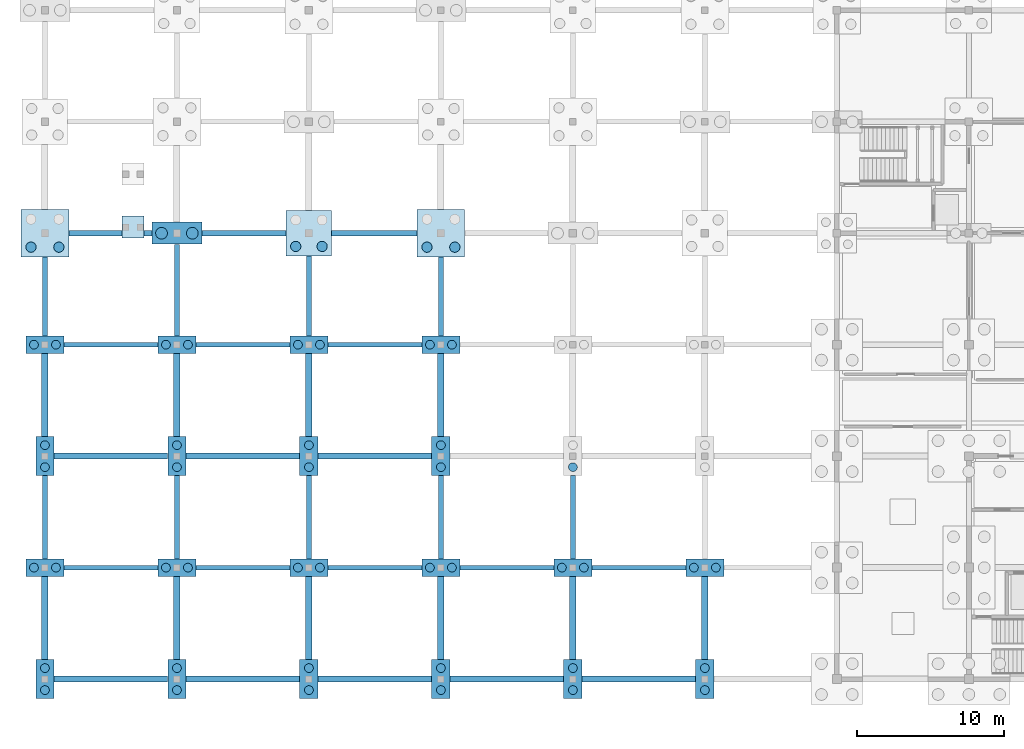
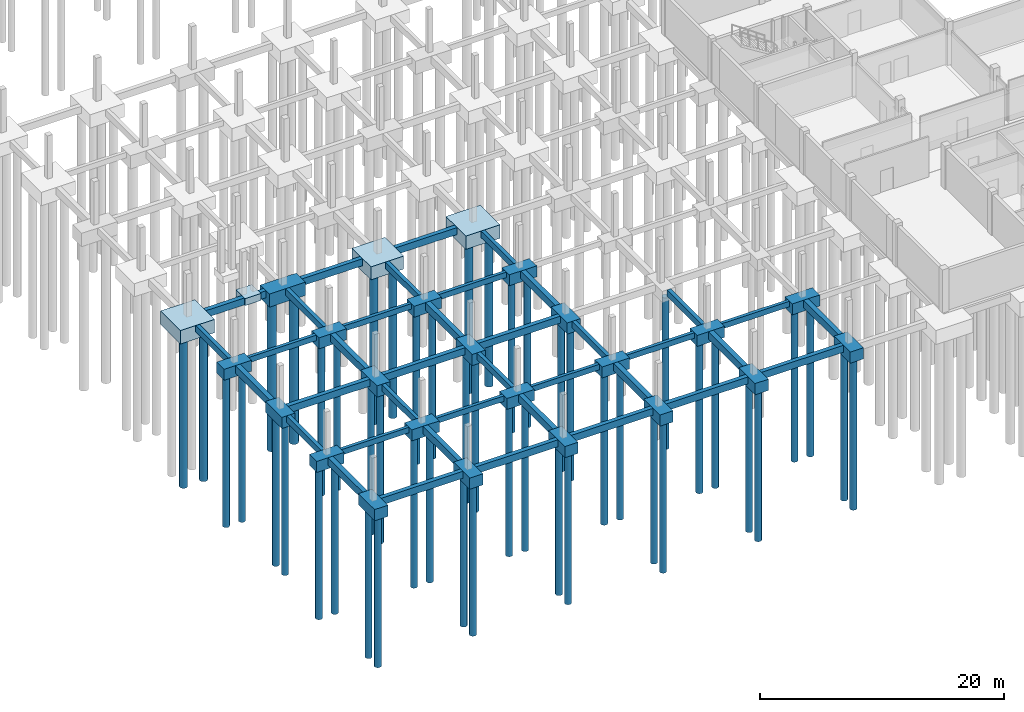
# One storey, part 1 of 28: 63 footings, 49 piles.
"""IFC4 building model written with IfcOpenShell, lengths in metres."""

from ifc_helpers import new_model, si_unit, direction, frame, origin, origin_2d, place, context, subcontext, project, spatial, rectangle, circle, extrude, material, layer, layer_set, material_profile, profile_set, type_object, element, save


model = new_model("IFC4")

# Units and contexts
model_context = context("Model", 3, precision=1e-05, world=origin(), true_north=direction((0.0, 1.0)))
body_context = subcontext(model_context, "Body", "Model", "MODEL_VIEW")
ifc_project = project(units=[si_unit("LENGTHUNIT", "METRE"), si_unit("AREAUNIT", "SQUARE_METRE"), si_unit("VOLUMEUNIT", "CUBIC_METRE"), si_unit("PLANEANGLEUNIT", "RADIAN"), si_unit("MASSUNIT", "GRAM", prefix="KILO")], contexts=[model_context])

# Site, building, storey
site_placement = place(None, origin())
site = spatial("IfcSite", under=ifc_project, at=site_placement, CompositionType="ELEMENT")
building_placement = place(site_placement, origin())
building = spatial("IfcBuilding", under=site, at=building_placement, Name="Caisbarro Railhouse Central Library", CompositionType="ELEMENT")
storey_placement = place(building_placement, frame((0.0, 0.0, -4.320068359375)))
storey = spatial("IfcBuildingStorey", under=building, at=storey_placement, Name="B01", CompositionType="ELEMENT", Elevation=-4.320068359375)

# Footings
ifc_material_1 = material(Name="Concrete C35", Category="concrete")
footing_type_1 = type_object("IfcFootingType", Name="FTG-FB01", PredefinedType="FOOTING_BEAM", material=ifc_material_1)
footing_1_placement = place(storey_placement, frame((0.0, 11.03759765625, -0.64990234375), z_axis=(0.0, 0.0, 1.0), x_axis=(0.0, 1.0, 0.0)))
element("IfcFooting", 1, at=footing_1_placement, inside=storey, type_object=footing_type_1, Name="FB01 ground tie beam 4", PredefinedType="FOOTING_BEAM", context=body_context, shape_type="SweptSolid", body=[
    extrude(rectangle(XDim=5.6708984375, YDim=0.35009765625, at=origin_2d()), origin(), (0.0, 0.0, 1.0), 0.64990234375),
])
footing_2_placement = place(storey_placement, frame((0.0, 26.08740234375, -0.64990234375), z_axis=(0.0, 0.0, 1.0), x_axis=(0.0, 1.0, 0.0)))
element("IfcFooting", 2, at=footing_2_placement, inside=storey, type_object=footing_type_1, Name="FB01 ground tie beam 8", PredefinedType="FOOTING_BEAM", context=body_context, shape_type="SweptSolid", body=[
    extrude(rectangle(XDim=5.37109375, YDim=0.35009765625, at=origin_2d()), origin(), (0.0, 0.0, 1.0), 0.64990234375),
])
footing_3_placement = place(storey_placement, frame((9.0, 11.03759765625, -0.64990234375), z_axis=(0.0, 0.0, 1.0), x_axis=(0.0, 1.0, 0.0)))
element("IfcFooting", 3, at=footing_3_placement, inside=storey, type_object=footing_type_1, Name="FB01 ground tie beam 28", PredefinedType="FOOTING_BEAM", context=body_context, shape_type="SweptSolid", body=[
    extrude(rectangle(XDim=5.6708984375, YDim=0.35009765625, at=origin_2d()), origin(), (0.0, 0.0, 1.0), 0.64990234375),
])
footing_4_placement = place(storey_placement, frame((9.0, 26.52490234375, -0.64990234375), z_axis=(0.0, 0.0, 1.0), x_axis=(0.0, 1.0, 0.0)))
element("IfcFooting", 4, at=footing_4_placement, inside=storey, type_object=footing_type_1, Name="FB01 ground tie beam 32", PredefinedType="FOOTING_BEAM", context=body_context, shape_type="SweptSolid", body=[
    extrude(rectangle(XDim=6.24609375, YDim=0.35009765625, at=origin_2d()), origin(), (0.0, 0.0, 1.0), 0.64990234375),
])
footing_5_placement = place(storey_placement, frame((18.0, 11.03759765625, -0.64990234375), z_axis=(0.0, 0.0, 1.0), x_axis=(0.0, 1.0, 0.0)))
element("IfcFooting", 5, at=footing_5_placement, inside=storey, type_object=footing_type_1, Name="FB01 ground tie beam 52", PredefinedType="FOOTING_BEAM", context=body_context, shape_type="SweptSolid", body=[
    extrude(rectangle(XDim=5.6708984375, YDim=0.35009765625, at=origin_2d()), origin(), (0.0, 0.0, 1.0), 0.64990234375),
])
footing_6_placement = place(storey_placement, frame((18.0, 26.125, -0.64990234375), z_axis=(0.0, 0.0, 1.0), x_axis=(0.0, 1.0, 0.0)))
element("IfcFooting", 6, at=footing_6_placement, inside=storey, type_object=footing_type_1, Name="FB01 ground tie beam 56", PredefinedType="FOOTING_BEAM", context=body_context, shape_type="SweptSolid", body=[
    extrude(rectangle(XDim=5.446044921875, YDim=0.35009765625, at=origin_2d()), origin(), (0.0, 0.0, 1.0), 0.64990234375),
])
footing_7_placement = place(storey_placement, frame((27.0, 11.03759765625, -0.64990234375), z_axis=(0.0, 0.0, 1.0), x_axis=(0.0, 1.0, 0.0)))
element("IfcFooting", 7, at=footing_7_placement, inside=storey, type_object=footing_type_1, Name="FB01 ground tie beam 76", PredefinedType="FOOTING_BEAM", context=body_context, shape_type="SweptSolid", body=[
    extrude(rectangle(XDim=5.6708984375, YDim=0.35009765625, at=origin_2d()), origin(), (0.0, 0.0, 1.0), 0.64990234375),
])
footing_8_placement = place(storey_placement, frame((27.0, 26.08740234375, -0.64990234375), z_axis=(0.0, 0.0, 1.0), x_axis=(0.0, 1.0, 0.0)))
element("IfcFooting", 8, at=footing_8_placement, inside=storey, type_object=footing_type_1, Name="FB01 ground tie beam 80", PredefinedType="FOOTING_BEAM", context=body_context, shape_type="SweptSolid", body=[
    extrude(rectangle(XDim=5.37109375, YDim=0.35009765625, at=origin_2d()), origin(), (0.0, 0.0, 1.0), 0.64990234375),
])
footing_9_placement = place(storey_placement, frame((36.0, 11.03759765625, -0.64990234375), z_axis=(0.0, 0.0, 1.0), x_axis=(0.0, 1.0, 0.0)))
element("IfcFooting", 9, at=footing_9_placement, inside=storey, type_object=footing_type_1, Name="FB01 ground tie beam 100", PredefinedType="FOOTING_BEAM", context=body_context, shape_type="SweptSolid", body=[
    extrude(rectangle(XDim=5.6708984375, YDim=0.35009765625, at=origin_2d()), origin(), (0.0, 0.0, 1.0), 0.64990234375),
])
footing_type_2 = type_object("IfcFootingType", Name="FTG-FB02", PredefinedType="FOOTING_BEAM", material=ifc_material_1)
for number, where, z_axis, x_axis, name in (
    (10, (4.5, 0.0, -0.69970703125), (0.0, 0.0, 1.0), (1.0, 0.0, 0.0), "FB02 ground tie beam 1"),
    (11, (4.5, 15.199951171875, -0.69970703125), (0.0, 0.0, 1.0), (1.0, 0.0, 0.0), "FB02 ground tie beam 5"),
):
    element("IfcFooting", number, at=place(storey_placement, frame(where, z_axis=z_axis, x_axis=x_axis)), inside=storey, type_object=footing_type_2, Name=name, PredefinedType="FOOTING_BEAM", context=body_context, shape_type="SweptSolid", body=[
        extrude(rectangle(XDim=7.74609375, YDim=0.39990234375, at=origin_2d()), origin(), (0.0, 0.0, 1.0), 0.699951171875),
    ])
footing_10_placement = place(storey_placement, frame((4.46240234375, 30.39990234375, -0.69970703125), z_axis=(0.0, 0.0, 1.0), x_axis=(1.0, 0.0, 0.0)))
element("IfcFooting", 12, at=footing_10_placement, inside=storey, type_object=footing_type_2, Name="FB02 ground tie beam 9", PredefinedType="FOOTING_BEAM", context=body_context, shape_type="SweptSolid", body=[
    extrude(rectangle(XDim=5.6708984375, YDim=0.39990234375, at=origin_2d()), origin(), (0.0, 0.0, 1.0), 0.699951171875),
])
for number, where, z_axis, x_axis, name in (
    (13, (13.5, 0.0, -0.69970703125), (0.0, 0.0, 1.0), (1.0, 0.0, 0.0), "FB02 ground tie beam 25"),
    (14, (13.5, 15.199951171875, -0.69970703125), (0.0, 0.0, 1.0), (1.0, 0.0, 0.0), "FB02 ground tie beam 29"),
):
    element("IfcFooting", number, at=place(storey_placement, frame(where, z_axis=z_axis, x_axis=x_axis)), inside=storey, type_object=footing_type_2, Name=name, PredefinedType="FOOTING_BEAM", context=body_context, shape_type="SweptSolid", body=[
        extrude(rectangle(XDim=7.74609375, YDim=0.39990234375, at=origin_2d()), origin(), (0.0, 0.0, 1.0), 0.699951171875),
    ])
footing_11_placement = place(storey_placement, frame((13.574951171875, 30.39990234375, -0.69970703125), z_axis=(0.0, 0.0, 1.0), x_axis=(1.0, 0.0, 0.0)))
element("IfcFooting", 15, at=footing_11_placement, inside=storey, type_object=footing_type_2, Name="FB02 ground tie beam 33", PredefinedType="FOOTING_BEAM", context=body_context, shape_type="SweptSolid", body=[
    extrude(rectangle(XDim=5.74609375, YDim=0.39990234375, at=origin_2d()), origin(), (0.0, 0.0, 1.0), 0.699951171875),
])
for number, where, z_axis, x_axis, name in (
    (16, (22.5, 0.0, -0.69970703125), (0.0, 0.0, 1.0), (1.0, 0.0, 0.0), "FB02 ground tie beam 49"),
    (17, (22.5, 15.199951171875, -0.69970703125), (0.0, 0.0, 1.0), (1.0, 0.0, 0.0), "FB02 ground tie beam 53"),
):
    element("IfcFooting", number, at=place(storey_placement, frame(where, z_axis=z_axis, x_axis=x_axis)), inside=storey, type_object=footing_type_2, Name=name, PredefinedType="FOOTING_BEAM", context=body_context, shape_type="SweptSolid", body=[
        extrude(rectangle(XDim=7.74609375, YDim=0.39990234375, at=origin_2d()), origin(), (0.0, 0.0, 1.0), 0.699951171875),
    ])
footing_12_placement = place(storey_placement, frame((22.46240234375, 30.39990234375, -0.69970703125), z_axis=(0.0, 0.0, 1.0), x_axis=(1.0, 0.0, 0.0)))
element("IfcFooting", 18, at=footing_12_placement, inside=storey, type_object=footing_type_2, Name="FB02 ground tie beam 57", PredefinedType="FOOTING_BEAM", context=body_context, shape_type="SweptSolid", body=[
    extrude(rectangle(XDim=5.821044921875, YDim=0.39990234375, at=origin_2d()), origin(), (0.0, 0.0, 1.0), 0.699951171875),
])
for number, where, z_axis, x_axis, name in (
    (19, (31.5, 0.0, -0.69970703125), (0.0, 0.0, 1.0), (1.0, 0.0, 0.0), "FB02 ground tie beam 73"),
    (20, (40.5, 0.0, -0.69970703125), (0.0, 0.0, 1.0), (1.0, 0.0, 0.0), "FB02 ground tie beam 97"),
):
    element("IfcFooting", number, at=place(storey_placement, frame(where, z_axis=z_axis, x_axis=x_axis)), inside=storey, type_object=footing_type_2, Name=name, PredefinedType="FOOTING_BEAM", context=body_context, shape_type="SweptSolid", body=[
        extrude(rectangle(XDim=7.74609375, YDim=0.39990234375, at=origin_2d()), origin(), (0.0, 0.0, 1.0), 0.699951171875),
    ])
footing_type_3 = type_object("IfcFootingType", Name="FTG-FB03", PredefinedType="FOOTING_BEAM", material=ifc_material_1)
for number, where, z_axis, x_axis, name in (
    (21, (0.0, 4.16259765625, -0.75), (0.0, 0.0, 1.0), (0.0, 1.0, 0.0), "FB03 ground tie beam 2"),
    (22, (0.0, 19.362548828125, -0.75), (0.0, 0.0, 1.0), (0.0, 1.0, 0.0), "FB03 ground tie beam 6"),
    (23, (9.0, 4.16259765625, -0.75), (0.0, 0.0, 1.0), (0.0, 1.0, 0.0), "FB03 ground tie beam 26"),
    (24, (9.0, 19.362548828125, -0.75), (0.0, 0.0, 1.0), (0.0, 1.0, 0.0), "FB03 ground tie beam 30"),
    (25, (18.0, 4.16259765625, -0.75), (0.0, 0.0, 1.0), (0.0, 1.0, 0.0), "FB03 ground tie beam 50"),
    (26, (18.0, 19.362548828125, -0.75), (0.0, 0.0, 1.0), (0.0, 1.0, 0.0), "FB03 ground tie beam 54"),
    (27, (27.0, 4.16259765625, -0.75), (0.0, 0.0, 1.0), (0.0, 1.0, 0.0), "FB03 ground tie beam 74"),
    (28, (27.0, 19.362548828125, -0.75), (0.0, 0.0, 1.0), (0.0, 1.0, 0.0), "FB03 ground tie beam 78"),
    (29, (36.0, 4.16259765625, -0.75), (0.0, 0.0, 1.0), (0.0, 1.0, 0.0), "FB03 ground tie beam 98"),
    (30, (45.0, 4.16259765625, -0.75), (0.0, 0.0, 1.0), (0.0, 1.0, 0.0), "FB03 ground tie beam 118"),
):
    element("IfcFooting", number, at=place(storey_placement, frame(where, z_axis=z_axis, x_axis=x_axis)), inside=storey, type_object=footing_type_3, Name=name, PredefinedType="FOOTING_BEAM", context=body_context, shape_type="SweptSolid", body=[
        extrude(rectangle(XDim=5.6708984375, YDim=0.449951171875, at=origin_2d()), origin(), (0.0, 0.0, 1.0), 0.75),
    ])
footing_type_4 = type_object("IfcFootingType", Name="FTG-FB04", PredefinedType="FOOTING_BEAM", material=ifc_material_1)
for number, where, z_axis, x_axis, name in (
    (31, (4.5, 7.60009765625, -0.5498046875), (0.0, 0.0, 1.0), (1.0, 0.0, 0.0), "FB04 ground tie beam 3"),
    (32, (4.5, 22.800048828125, -0.5498046875), (0.0, 0.0, 1.0), (1.0, 0.0, 0.0), "FB04 ground tie beam 7"),
    (33, (13.5, 7.60009765625, -0.5498046875), (0.0, 0.0, 1.0), (1.0, 0.0, 0.0), "FB04 ground tie beam 27"),
    (34, (13.5, 22.800048828125, -0.5498046875), (0.0, 0.0, 1.0), (1.0, 0.0, 0.0), "FB04 ground tie beam 31"),
    (35, (22.5, 7.60009765625, -0.5498046875), (0.0, 0.0, 1.0), (1.0, 0.0, 0.0), "FB04 ground tie beam 51"),
    (36, (22.5, 22.800048828125, -0.5498046875), (0.0, 0.0, 1.0), (1.0, 0.0, 0.0), "FB04 ground tie beam 55"),
    (37, (31.5, 7.60009765625, -0.5498046875), (0.0, 0.0, 1.0), (1.0, 0.0, 0.0), "FB04 ground tie beam 75"),
    (38, (40.5, 7.60009765625, -0.5498046875), (0.0, 0.0, 1.0), (1.0, 0.0, 0.0), "FB04 ground tie beam 99"),
):
    element("IfcFooting", number, at=place(storey_placement, frame(where, z_axis=z_axis, x_axis=x_axis)), inside=storey, type_object=footing_type_4, Name=name, PredefinedType="FOOTING_BEAM", context=body_context, shape_type="SweptSolid", body=[
        extrude(rectangle(XDim=6.39599609375, YDim=0.300048828125, at=origin_2d()), origin(), (0.0, 0.0, 1.0), 0.550048828125),
    ])
ifc_material_2 = material(Name="Concrete C40", Category="concrete")
ifc_layer_1 = layer(ifc_material_2, 1.10009765625, Name="Concrete C40")
ifc_layer_set_1 = layer_set([ifc_layer_1], Name="Concrete C40")
footing_type_5 = type_object("IfcFootingType", Name="FTG-PC02", PredefinedType="PILE_CAP", material=ifc_layer_set_1)
for number, where, z_axis, x_axis, name in (
    (39, (0.0, 7.60009765625, -1.10009765625), (0.0, 0.0, 1.0), (1.0, 0.0, 0.0), "PC02 pile cap (2)"),
    (40, (0.0, 22.800048828125, -1.10009765625), (0.0, 0.0, 1.0), (1.0, 0.0, 0.0), "PC02 pile cap (4)"),
    (41, (9.0, 7.60009765625, -1.10009765625), (0.0, 0.0, 1.0), (1.0, 0.0, 0.0), "PC02 pile cap (16)"),
    (42, (9.0, 22.800048828125, -1.10009765625), (0.0, 0.0, 1.0), (1.0, 0.0, 0.0), "PC02 pile cap (18)"),
    (43, (18.0, 7.60009765625, -1.10009765625), (0.0, 0.0, 1.0), (1.0, 0.0, 0.0), "PC02 pile cap (30)"),
    (44, (18.0, 22.800048828125, -1.10009765625), (0.0, 0.0, 1.0), (1.0, 0.0, 0.0), "PC02 pile cap (32)"),
    (45, (27.0, 7.60009765625, -1.10009765625), (0.0, 0.0, 1.0), (1.0, 0.0, 0.0), "PC02 pile cap (44)"),
    (46, (27.0, 22.800048828125, -1.10009765625), (0.0, 0.0, 1.0), (1.0, 0.0, 0.0), "PC02 pile cap (46)"),
    (47, (36.0, 7.60009765625, -1.10009765625), (0.0, 0.0, 1.0), (1.0, 0.0, 0.0), "PC02 pile cap (58)"),
    (48, (45.0, 7.60009765625, -1.10009765625), (0.0, 0.0, 1.0), (1.0, 0.0, 0.0), "PC02 pile cap (72)"),
):
    element("IfcFooting", number, at=place(storey_placement, frame(where, z_axis=z_axis, x_axis=x_axis)), inside=storey, type_object=footing_type_5, Name=name, PredefinedType="PILE_CAP", context=body_context, shape_type="SweptSolid", body=[
        extrude(rectangle(XDim=2.60009765625, YDim=1.199951171875, at=origin_2d()), origin(), (0.0, 0.0, 1.0), 1.10009765625),
    ])
ifc_layer_2 = layer(ifc_material_2, 1.1201171875, Name="Concrete C40")
ifc_layer_set_2 = layer_set([ifc_layer_2], Name="Concrete C40")
footing_type_6 = type_object("IfcFootingType", Name="FTG-PC03", PredefinedType="PILE_CAP", material=ifc_layer_set_2)
for number, where, z_axis, x_axis, name in (
    (49, (0.0, 0.0, -1.119873046875), (0.0, 0.0, 1.0), (1.0, 0.0, 0.0), "PC03 pile cap (1)"),
    (50, (0.0, 15.199951171875, -1.119873046875), (0.0, 0.0, 1.0), (1.0, 0.0, 0.0), "PC03 pile cap (3)"),
    (51, (9.0, 0.0, -1.119873046875), (0.0, 0.0, 1.0), (1.0, 0.0, 0.0), "PC03 pile cap (15)"),
    (52, (9.0, 15.199951171875, -1.119873046875), (0.0, 0.0, 1.0), (1.0, 0.0, 0.0), "PC03 pile cap (17)"),
    (53, (18.0, 0.0, -1.119873046875), (0.0, 0.0, 1.0), (1.0, 0.0, 0.0), "PC03 pile cap (29)"),
    (54, (18.0, 15.199951171875, -1.119873046875), (0.0, 0.0, 1.0), (1.0, 0.0, 0.0), "PC03 pile cap (31)"),
    (55, (27.0, 0.0, -1.119873046875), (0.0, 0.0, 1.0), (1.0, 0.0, 0.0), "PC03 pile cap (43)"),
    (56, (27.0, 15.199951171875, -1.119873046875), (0.0, 0.0, 1.0), (1.0, 0.0, 0.0), "PC03 pile cap (45)"),
    (57, (36.0, 0.0, -1.119873046875), (0.0, 0.0, 1.0), (1.0, 0.0, 0.0), "PC03 pile cap (57)"),
    (58, (45.0, 0.0, -1.119873046875), (0.0, 0.0, 1.0), (1.0, 0.0, 0.0), "PC03 pile cap (71)"),
):
    element("IfcFooting", number, at=place(storey_placement, frame(where, z_axis=z_axis, x_axis=x_axis)), inside=storey, type_object=footing_type_6, Name=name, PredefinedType="PILE_CAP", context=body_context, shape_type="SweptSolid", body=[
        extrude(rectangle(XDim=1.25, YDim=2.64990234375, at=origin_2d()), origin(), (0.0, 0.0, 1.0), 1.1201171875),
    ])
ifc_layer_3 = layer(ifc_material_2, 1.300048828125, Name="Concrete C40")
ifc_layer_set_3 = layer_set([ifc_layer_3], Name="Concrete C40")
footing_type_7 = type_object("IfcFootingType", Name="FTG-PC06", PredefinedType="PILE_CAP", material=ifc_layer_set_3)
footing_13_placement = place(storey_placement, frame((18.0, 30.39990234375, -1.2998046875), z_axis=(0.0, 0.0, 1.0), x_axis=(1.0, 0.0, 0.0)))
element("IfcFooting", 59, at=footing_13_placement, inside=storey, type_object=footing_type_7, Name="PC06 pile cap (33)", PredefinedType="PILE_CAP", context=body_context, shape_type="SweptSolid", body=[
    extrude(rectangle(XDim=3.10009765625, YDim=3.10009765625, at=origin_2d()), origin(), (0.0, 0.0, 1.0), 1.300048828125),
])
ifc_layer_4 = layer(ifc_material_2, 1.320068359375, Name="Concrete C40")
ifc_layer_set_4 = layer_set([ifc_layer_4], Name="Concrete C40")
footing_type_8 = type_object("IfcFootingType", Name="FTG-PC07", PredefinedType="PILE_CAP", material=ifc_layer_set_4)
footing_14_placement = place(storey_placement, frame((9.0, 30.39990234375, -1.31982421875), z_axis=(0.0, 0.0, 1.0), x_axis=(1.0, 0.0, 0.0)))
element("IfcFooting", 60, at=footing_14_placement, inside=storey, type_object=footing_type_8, Name="PC07 pile cap (19)", PredefinedType="PILE_CAP", context=body_context, shape_type="SweptSolid", body=[
    extrude(rectangle(XDim=3.39990234375, YDim=1.5, at=origin_2d()), origin(), (0.0, 0.0, 1.0), 1.320068359375),
])
ifc_layer_5 = layer(ifc_material_2, 1.340087890625, Name="Concrete C40")
ifc_layer_set_5 = layer_set([ifc_layer_5], Name="Concrete C40")
footing_type_9 = type_object("IfcFootingType", Name="FTG-PC14", PredefinedType="PILE_CAP", material=ifc_layer_set_5)
for number, where, z_axis, x_axis, name in (
    (61, (0.0, 30.39990234375, -1.33984375), (0.0, 0.0, 1.0), (1.0, 0.0, 0.0), "PC14 pile cap (5)"),
    (62, (27.0, 30.39990234375, -1.33984375), (0.0, 0.0, 1.0), (1.0, 0.0, 0.0), "PC14 pile cap (47)"),
):
    element("IfcFooting", number, at=place(storey_placement, frame(where, z_axis=z_axis, x_axis=x_axis)), inside=storey, type_object=footing_type_9, Name=name, PredefinedType="PILE_CAP", context=body_context, shape_type="SweptSolid", body=[
        extrude(rectangle(XDim=3.25, YDim=3.25, at=origin_2d()), origin(), (0.0, 0.0, 1.0), 1.340087890625),
    ])
ifc_layer_6 = layer(ifc_material_2, 0.699951171875, Name="Concrete C40")
ifc_layer_set_6 = layer_set([ifc_layer_6], Name="Concrete C40")
footing_type_10 = type_object("IfcFootingType", Name="FTG-PF01", PredefinedType="PAD_FOOTING", material=ifc_layer_set_6)
footing_15_placement = place(storey_placement, frame((6.0, 30.820068359375, -0.69970703125), z_axis=(0.0, 0.0, 1.0), x_axis=(1.0, 0.0, 0.0)))
element("IfcFooting", 63, at=footing_15_placement, inside=storey, type_object=footing_type_10, Name="PF01 Stair Support Pad Footing K6 S", PredefinedType="PAD_FOOTING", context=body_context, shape_type="SweptSolid", body=[
    extrude(rectangle(XDim=1.5, YDim=1.5, at=origin_2d()), origin(), (0.0, 0.0, 1.0), 0.699951171875),
])

# Piles
ifc_material_profile_1 = material_profile(ifc_material_1, circle(Radius=0.300048828125, at=origin_2d()), Name="PILE-CFA-600")
ifc_profile_set_1 = profile_set([ifc_material_profile_1], Name="Concrete C35")
pile_type_1 = type_object("IfcPileType", Name="PILE-CFA600", PredefinedType="BORED", material=ifc_profile_set_1)
for number, where, z_axis, x_axis, name in (
    (64, (0.0, -0.75, -1.02001953125), (0.0, 0.0, -1.0), (1.0, 0.0, 0.0), "PL60 CFA bored pile 1.1"),
    (65, (0.0, 0.75, -1.02001953125), (0.0, 0.0, -1.0), (1.0, 0.0, 0.0), "PL60 CFA bored pile 1.2"),
):
    element("IfcPile", number, at=place(storey_placement, frame(where, z_axis=z_axis, x_axis=x_axis)), inside=storey, type_object=pile_type_1, Name=name, PredefinedType="BORED", context=body_context, shape_type="SweptSolid", body=[
        extrude(circle(Radius=0.300048828125, at=origin_2d()), origin(), (0.0, 0.0, 1.0), 15.159912109375),
    ])
for number, where, z_axis, x_axis, name in (
    (66, (-0.75, 7.60009765625, -1.0), (0.0, 0.0, -1.0), (1.0, 0.0, 0.0), "PL60 CFA bored pile 2.1"),
    (67, (0.75, 7.60009765625, -1.0), (0.0, 0.0, -1.0), (1.0, 0.0, 0.0), "PL60 CFA bored pile 2.2"),
):
    element("IfcPile", number, at=place(storey_placement, frame(where, z_axis=z_axis, x_axis=x_axis)), inside=storey, type_object=pile_type_1, Name=name, PredefinedType="BORED", context=body_context, shape_type="SweptSolid", body=[
        extrude(circle(Radius=0.300048828125, at=origin_2d()), origin(), (0.0, 0.0, 1.0), 15.179931640625),
    ])
for number, where, z_axis, x_axis, name in (
    (68, (0.0, 14.449951171875, -1.02001953125), (0.0, 0.0, -1.0), (1.0, 0.0, 0.0), "PL60 CFA bored pile 3.1"),
    (69, (0.0, 15.949951171875, -1.02001953125), (0.0, 0.0, -1.0), (1.0, 0.0, 0.0), "PL60 CFA bored pile 3.2"),
):
    element("IfcPile", number, at=place(storey_placement, frame(where, z_axis=z_axis, x_axis=x_axis)), inside=storey, type_object=pile_type_1, Name=name, PredefinedType="BORED", context=body_context, shape_type="SweptSolid", body=[
        extrude(circle(Radius=0.300048828125, at=origin_2d()), origin(), (0.0, 0.0, 1.0), 15.159912109375),
    ])
for number, where, z_axis, x_axis, name in (
    (70, (-0.75, 22.800048828125, -1.0), (0.0, 0.0, -1.0), (1.0, 0.0, 0.0), "PL60 CFA bored pile 4.1"),
    (71, (0.75, 22.800048828125, -1.0), (0.0, 0.0, -1.0), (1.0, 0.0, 0.0), "PL60 CFA bored pile 4.2"),
):
    element("IfcPile", number, at=place(storey_placement, frame(where, z_axis=z_axis, x_axis=x_axis)), inside=storey, type_object=pile_type_1, Name=name, PredefinedType="BORED", context=body_context, shape_type="SweptSolid", body=[
        extrude(circle(Radius=0.300048828125, at=origin_2d()), origin(), (0.0, 0.0, 1.0), 15.179931640625),
    ])
for number, where, z_axis, x_axis, name in (
    (72, (9.0, -0.75, -1.02001953125), (0.0, 0.0, -1.0), (1.0, 0.0, 0.0), "PL60 CFA bored pile 15.1"),
    (73, (9.0, 0.75, -1.02001953125), (0.0, 0.0, -1.0), (1.0, 0.0, 0.0), "PL60 CFA bored pile 15.2"),
):
    element("IfcPile", number, at=place(storey_placement, frame(where, z_axis=z_axis, x_axis=x_axis)), inside=storey, type_object=pile_type_1, Name=name, PredefinedType="BORED", context=body_context, shape_type="SweptSolid", body=[
        extrude(circle(Radius=0.300048828125, at=origin_2d()), origin(), (0.0, 0.0, 1.0), 15.159912109375),
    ])
for number, where, z_axis, x_axis, name in (
    (74, (8.25, 7.60009765625, -1.0), (0.0, 0.0, -1.0), (1.0, 0.0, 0.0), "PL60 CFA bored pile 16.1"),
    (75, (9.75, 7.60009765625, -1.0), (0.0, 0.0, -1.0), (1.0, 0.0, 0.0), "PL60 CFA bored pile 16.2"),
):
    element("IfcPile", number, at=place(storey_placement, frame(where, z_axis=z_axis, x_axis=x_axis)), inside=storey, type_object=pile_type_1, Name=name, PredefinedType="BORED", context=body_context, shape_type="SweptSolid", body=[
        extrude(circle(Radius=0.300048828125, at=origin_2d()), origin(), (0.0, 0.0, 1.0), 15.179931640625),
    ])
for number, where, z_axis, x_axis, name in (
    (76, (9.0, 14.449951171875, -1.02001953125), (0.0, 0.0, -1.0), (1.0, 0.0, 0.0), "PL60 CFA bored pile 17.1"),
    (77, (9.0, 15.949951171875, -1.02001953125), (0.0, 0.0, -1.0), (1.0, 0.0, 0.0), "PL60 CFA bored pile 17.2"),
):
    element("IfcPile", number, at=place(storey_placement, frame(where, z_axis=z_axis, x_axis=x_axis)), inside=storey, type_object=pile_type_1, Name=name, PredefinedType="BORED", context=body_context, shape_type="SweptSolid", body=[
        extrude(circle(Radius=0.300048828125, at=origin_2d()), origin(), (0.0, 0.0, 1.0), 15.159912109375),
    ])
for number, where, z_axis, x_axis, name in (
    (78, (8.25, 22.800048828125, -1.0), (0.0, 0.0, -1.0), (1.0, 0.0, 0.0), "PL60 CFA bored pile 18.1"),
    (79, (9.75, 22.800048828125, -1.0), (0.0, 0.0, -1.0), (1.0, 0.0, 0.0), "PL60 CFA bored pile 18.2"),
):
    element("IfcPile", number, at=place(storey_placement, frame(where, z_axis=z_axis, x_axis=x_axis)), inside=storey, type_object=pile_type_1, Name=name, PredefinedType="BORED", context=body_context, shape_type="SweptSolid", body=[
        extrude(circle(Radius=0.300048828125, at=origin_2d()), origin(), (0.0, 0.0, 1.0), 15.179931640625),
    ])
for number, where, z_axis, x_axis, name in (
    (80, (18.0, -0.75, -1.02001953125), (0.0, 0.0, -1.0), (1.0, 0.0, 0.0), "PL60 CFA bored pile 29.1"),
    (81, (18.0, 0.75, -1.02001953125), (0.0, 0.0, -1.0), (1.0, 0.0, 0.0), "PL60 CFA bored pile 29.2"),
):
    element("IfcPile", number, at=place(storey_placement, frame(where, z_axis=z_axis, x_axis=x_axis)), inside=storey, type_object=pile_type_1, Name=name, PredefinedType="BORED", context=body_context, shape_type="SweptSolid", body=[
        extrude(circle(Radius=0.300048828125, at=origin_2d()), origin(), (0.0, 0.0, 1.0), 15.159912109375),
    ])
for number, where, z_axis, x_axis, name in (
    (82, (17.25, 7.60009765625, -1.0), (0.0, 0.0, -1.0), (1.0, 0.0, 0.0), "PL60 CFA bored pile 30.1"),
    (83, (18.75, 7.60009765625, -1.0), (0.0, 0.0, -1.0), (1.0, 0.0, 0.0), "PL60 CFA bored pile 30.2"),
):
    element("IfcPile", number, at=place(storey_placement, frame(where, z_axis=z_axis, x_axis=x_axis)), inside=storey, type_object=pile_type_1, Name=name, PredefinedType="BORED", context=body_context, shape_type="SweptSolid", body=[
        extrude(circle(Radius=0.300048828125, at=origin_2d()), origin(), (0.0, 0.0, 1.0), 15.179931640625),
    ])
for number, where, z_axis, x_axis, name in (
    (84, (18.0, 14.449951171875, -1.02001953125), (0.0, 0.0, -1.0), (1.0, 0.0, 0.0), "PL60 CFA bored pile 31.1"),
    (85, (18.0, 15.949951171875, -1.02001953125), (0.0, 0.0, -1.0), (1.0, 0.0, 0.0), "PL60 CFA bored pile 31.2"),
):
    element("IfcPile", number, at=place(storey_placement, frame(where, z_axis=z_axis, x_axis=x_axis)), inside=storey, type_object=pile_type_1, Name=name, PredefinedType="BORED", context=body_context, shape_type="SweptSolid", body=[
        extrude(circle(Radius=0.300048828125, at=origin_2d()), origin(), (0.0, 0.0, 1.0), 15.159912109375),
    ])
for number, where, z_axis, x_axis, name in (
    (86, (17.25, 22.800048828125, -1.0), (0.0, 0.0, -1.0), (1.0, 0.0, 0.0), "PL60 CFA bored pile 32.1"),
    (87, (18.75, 22.800048828125, -1.0), (0.0, 0.0, -1.0), (1.0, 0.0, 0.0), "PL60 CFA bored pile 32.2"),
):
    element("IfcPile", number, at=place(storey_placement, frame(where, z_axis=z_axis, x_axis=x_axis)), inside=storey, type_object=pile_type_1, Name=name, PredefinedType="BORED", context=body_context, shape_type="SweptSolid", body=[
        extrude(circle(Radius=0.300048828125, at=origin_2d()), origin(), (0.0, 0.0, 1.0), 15.179931640625),
    ])
for number, where, z_axis, x_axis, name in (
    (88, (27.0, -0.75, -1.02001953125), (0.0, 0.0, -1.0), (1.0, 0.0, 0.0), "PL60 CFA bored pile 43.1"),
    (89, (27.0, 0.75, -1.02001953125), (0.0, 0.0, -1.0), (1.0, 0.0, 0.0), "PL60 CFA bored pile 43.2"),
):
    element("IfcPile", number, at=place(storey_placement, frame(where, z_axis=z_axis, x_axis=x_axis)), inside=storey, type_object=pile_type_1, Name=name, PredefinedType="BORED", context=body_context, shape_type="SweptSolid", body=[
        extrude(circle(Radius=0.300048828125, at=origin_2d()), origin(), (0.0, 0.0, 1.0), 15.159912109375),
    ])
for number, where, z_axis, x_axis, name in (
    (90, (26.25, 7.60009765625, -1.0), (0.0, 0.0, -1.0), (1.0, 0.0, 0.0), "PL60 CFA bored pile 44.1"),
    (91, (27.75, 7.60009765625, -1.0), (0.0, 0.0, -1.0), (1.0, 0.0, 0.0), "PL60 CFA bored pile 44.2"),
):
    element("IfcPile", number, at=place(storey_placement, frame(where, z_axis=z_axis, x_axis=x_axis)), inside=storey, type_object=pile_type_1, Name=name, PredefinedType="BORED", context=body_context, shape_type="SweptSolid", body=[
        extrude(circle(Radius=0.300048828125, at=origin_2d()), origin(), (0.0, 0.0, 1.0), 15.179931640625),
    ])
for number, where, z_axis, x_axis, name in (
    (92, (27.0, 14.449951171875, -1.02001953125), (0.0, 0.0, -1.0), (1.0, 0.0, 0.0), "PL60 CFA bored pile 45.1"),
    (93, (27.0, 15.949951171875, -1.02001953125), (0.0, 0.0, -1.0), (1.0, 0.0, 0.0), "PL60 CFA bored pile 45.2"),
):
    element("IfcPile", number, at=place(storey_placement, frame(where, z_axis=z_axis, x_axis=x_axis)), inside=storey, type_object=pile_type_1, Name=name, PredefinedType="BORED", context=body_context, shape_type="SweptSolid", body=[
        extrude(circle(Radius=0.300048828125, at=origin_2d()), origin(), (0.0, 0.0, 1.0), 15.159912109375),
    ])
for number, where, z_axis, x_axis, name in (
    (94, (26.25, 22.800048828125, -1.0), (0.0, 0.0, -1.0), (1.0, 0.0, 0.0), "PL60 CFA bored pile 46.1"),
    (95, (27.75, 22.800048828125, -1.0), (0.0, 0.0, -1.0), (1.0, 0.0, 0.0), "PL60 CFA bored pile 46.2"),
):
    element("IfcPile", number, at=place(storey_placement, frame(where, z_axis=z_axis, x_axis=x_axis)), inside=storey, type_object=pile_type_1, Name=name, PredefinedType="BORED", context=body_context, shape_type="SweptSolid", body=[
        extrude(circle(Radius=0.300048828125, at=origin_2d()), origin(), (0.0, 0.0, 1.0), 15.179931640625),
    ])
for number, where, z_axis, x_axis, name in (
    (96, (36.0, -0.75, -1.02001953125), (0.0, 0.0, -1.0), (1.0, 0.0, 0.0), "PL60 CFA bored pile 57.1"),
    (97, (36.0, 0.75, -1.02001953125), (0.0, 0.0, -1.0), (1.0, 0.0, 0.0), "PL60 CFA bored pile 57.2"),
):
    element("IfcPile", number, at=place(storey_placement, frame(where, z_axis=z_axis, x_axis=x_axis)), inside=storey, type_object=pile_type_1, Name=name, PredefinedType="BORED", context=body_context, shape_type="SweptSolid", body=[
        extrude(circle(Radius=0.300048828125, at=origin_2d()), origin(), (0.0, 0.0, 1.0), 15.159912109375),
    ])
for number, where, z_axis, x_axis, name in (
    (98, (35.25, 7.60009765625, -1.0), (0.0, 0.0, -1.0), (1.0, 0.0, 0.0), "PL60 CFA bored pile 58.1"),
    (99, (36.75, 7.60009765625, -1.0), (0.0, 0.0, -1.0), (1.0, 0.0, 0.0), "PL60 CFA bored pile 58.2"),
):
    element("IfcPile", number, at=place(storey_placement, frame(where, z_axis=z_axis, x_axis=x_axis)), inside=storey, type_object=pile_type_1, Name=name, PredefinedType="BORED", context=body_context, shape_type="SweptSolid", body=[
        extrude(circle(Radius=0.300048828125, at=origin_2d()), origin(), (0.0, 0.0, 1.0), 15.179931640625),
    ])
for number, where, z_axis, x_axis, name in (
    (100, (36.0, 14.449951171875, -1.02001953125), (0.0, 0.0, -1.0), (1.0, 0.0, 0.0), "PL60 CFA bored pile 59.1"),
    (101, (45.0, -0.75, -1.02001953125), (0.0, 0.0, -1.0), (1.0, 0.0, 0.0), "PL60 CFA bored pile 71.1"),
    (102, (45.0, 0.75, -1.02001953125), (0.0, 0.0, -1.0), (1.0, 0.0, 0.0), "PL60 CFA bored pile 71.2"),
):
    element("IfcPile", number, at=place(storey_placement, frame(where, z_axis=z_axis, x_axis=x_axis)), inside=storey, type_object=pile_type_1, Name=name, PredefinedType="BORED", context=body_context, shape_type="SweptSolid", body=[
        extrude(circle(Radius=0.300048828125, at=origin_2d()), origin(), (0.0, 0.0, 1.0), 15.159912109375),
    ])
for number, where, z_axis, x_axis, name in (
    (103, (44.25, 7.60009765625, -1.0), (0.0, 0.0, -1.0), (1.0, 0.0, 0.0), "PL60 CFA bored pile 72.1"),
    (104, (45.75, 7.60009765625, -1.0), (0.0, 0.0, -1.0), (1.0, 0.0, 0.0), "PL60 CFA bored pile 72.2"),
):
    element("IfcPile", number, at=place(storey_placement, frame(where, z_axis=z_axis, x_axis=x_axis)), inside=storey, type_object=pile_type_1, Name=name, PredefinedType="BORED", context=body_context, shape_type="SweptSolid", body=[
        extrude(circle(Radius=0.300048828125, at=origin_2d()), origin(), (0.0, 0.0, 1.0), 15.179931640625),
    ])
ifc_material_profile_2 = material_profile(ifc_material_1, circle(Radius=0.35009765625, at=origin_2d()), Name="PILE-CFA-700")
ifc_profile_set_2 = profile_set([ifc_material_profile_2], Name="Concrete C35")
pile_type_2 = type_object("IfcPileType", Name="PILE-CFA700", PredefinedType="BORED", material=ifc_profile_set_2)
for number, where, z_axis, x_axis, name in (
    (105, (-0.949951171875, 29.449951171875, -1.239990234375), (0.0, 0.0, -1.0), (1.0, 0.0, 0.0), "PL70 CFA bored pile 5.1"),
    (106, (0.949951171875, 29.449951171875, -1.239990234375), (0.0, 0.0, -1.0), (1.0, 0.0, 0.0), "PL70 CFA bored pile 5.2"),
):
    element("IfcPile", number, at=place(storey_placement, frame(where, z_axis=z_axis, x_axis=x_axis)), inside=storey, type_object=pile_type_2, Name=name, PredefinedType="BORED", context=body_context, shape_type="SweptSolid", body=[
        extrude(circle(Radius=0.35009765625, at=origin_2d()), origin(), (0.0, 0.0, 1.0), 14.93994140625),
    ])
for number, where, z_axis, x_axis, name in (
    (107, (17.10009765625, 29.5, -1.199951171875), (0.0, 0.0, -1.0), (1.0, 0.0, 0.0), "PL70 CFA bored pile 33.1"),
    (108, (18.89990234375, 29.5, -1.199951171875), (0.0, 0.0, -1.0), (1.0, 0.0, 0.0), "PL70 CFA bored pile 33.2"),
):
    element("IfcPile", number, at=place(storey_placement, frame(where, z_axis=z_axis, x_axis=x_axis)), inside=storey, type_object=pile_type_2, Name=name, PredefinedType="BORED", context=body_context, shape_type="SweptSolid", body=[
        extrude(circle(Radius=0.35009765625, at=origin_2d()), origin(), (0.0, 0.0, 1.0), 14.97998046875),
    ])
for number, where, z_axis, x_axis, name in (
    (109, (26.050048828125, 29.449951171875, -1.239990234375), (0.0, 0.0, -1.0), (1.0, 0.0, 0.0), "PL70 CFA bored pile 47.1"),
    (110, (27.949951171875, 29.449951171875, -1.239990234375), (0.0, 0.0, -1.0), (1.0, 0.0, 0.0), "PL70 CFA bored pile 47.2"),
):
    element("IfcPile", number, at=place(storey_placement, frame(where, z_axis=z_axis, x_axis=x_axis)), inside=storey, type_object=pile_type_2, Name=name, PredefinedType="BORED", context=body_context, shape_type="SweptSolid", body=[
        extrude(circle(Radius=0.35009765625, at=origin_2d()), origin(), (0.0, 0.0, 1.0), 14.93994140625),
    ])
ifc_material_profile_3 = material_profile(ifc_material_1, circle(Radius=0.39990234375, at=origin_2d()), Name="PILE-CFA-800")
ifc_profile_set_3 = profile_set([ifc_material_profile_3], Name="Concrete C35")
pile_type_3 = type_object("IfcPileType", Name="PILE-CFA800", PredefinedType="BORED", material=ifc_profile_set_3)
for number, where, z_axis, x_axis, name in (
    (111, (7.949951171875, 30.39990234375, -1.219970703125), (0.0, 0.0, -1.0), (1.0, 0.0, 0.0), "PL80 CFA bored pile 19.1"),
    (112, (10.050048828125, 30.39990234375, -1.219970703125), (0.0, 0.0, -1.0), (1.0, 0.0, 0.0), "PL80 CFA bored pile 19.2"),
):
    element("IfcPile", number, at=place(storey_placement, frame(where, z_axis=z_axis, x_axis=x_axis)), inside=storey, type_object=pile_type_3, Name=name, PredefinedType="BORED", context=body_context, shape_type="SweptSolid", body=[
        extrude(circle(Radius=0.39990234375, at=origin_2d()), origin(), (0.0, 0.0, 1.0), 14.9599609375),
    ])

save(model, "model.ifc")
